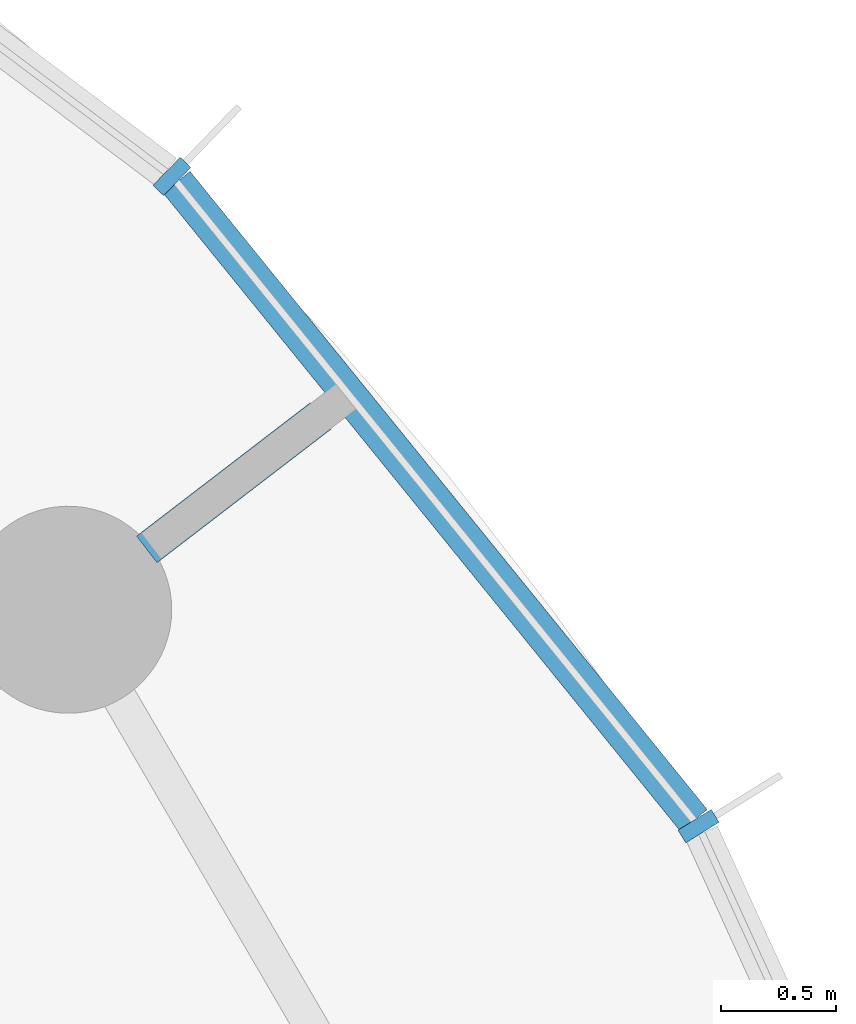
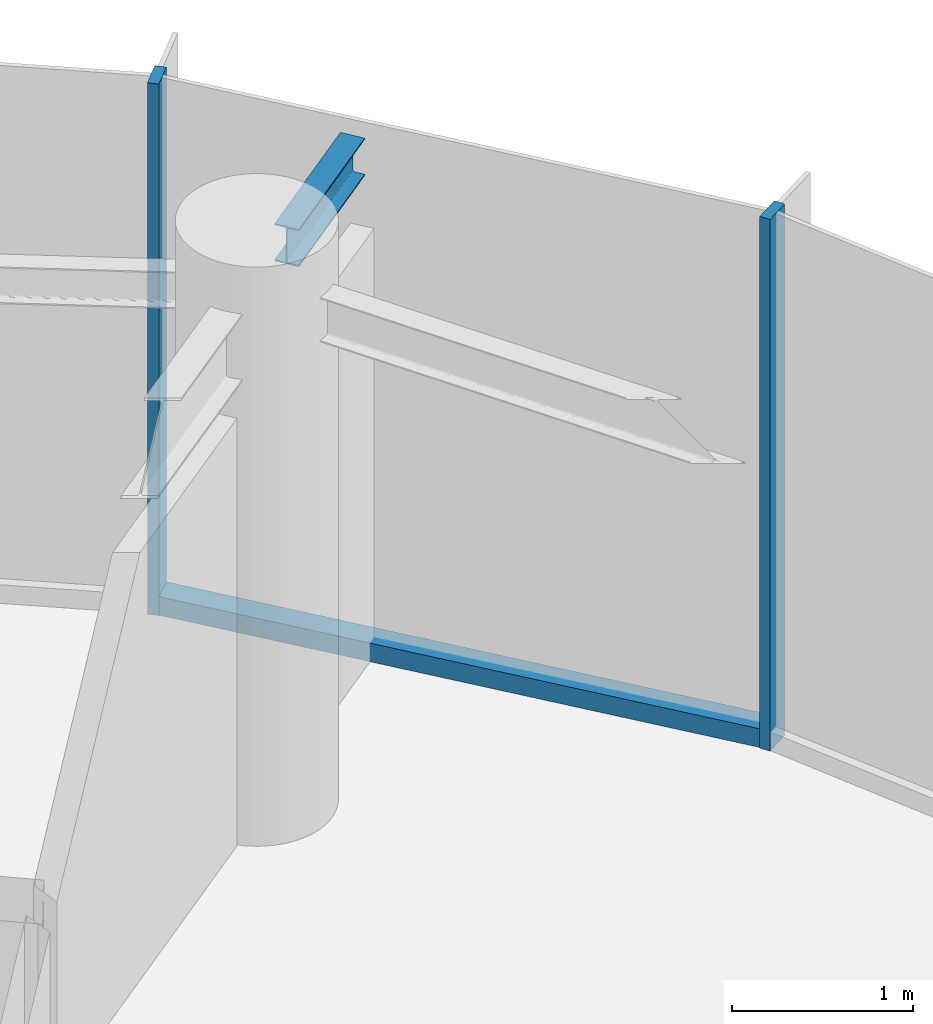
# One storey, part 7 of 15: 3 members, 1 beam, 1 element without a shape of its own.
"""IFC4 building model written with IfcOpenShell, lengths in metres."""

import ifcopenshell
import ifcopenshell.guid

model = None  # the IFC model being written
_history = None  # IfcOwnerHistory: only IFC2X3 demands one
_inside = {}  # id of a spatial element -> (the spatial element, [elements in it])
_under = {}  # id of a project, library or spatial element -> (it, [spatial elements below it])
_declared = {}  # id of a project -> (the project, [libraries it declares])
_typed = {}  # id of a type object -> (the type object, [elements of that type])
_made_of = {}  # id of a material, layer set ... -> (it, [elements and type objects made of it])


def new_model(schema):
    """Start an empty IFC model of exactly this schema.

    Asked for "IFC4X3", IfcOpenShell would pick the latest addendum, in which some entities
    have other attributes; the version numbers below select the first issue.
    IFC2X3 requires an IfcOwnerHistory on every rooted entity: one is made here for all.
    """
    global model, _history
    if schema == "IFC4X3":
        model = ifcopenshell.file(schema_version=(4, 3, 0, 0))
    else:
        model = ifcopenshell.file(schema=schema)
    _inside.clear()
    _under.clear()
    _declared.clear()
    _typed.clear()
    _made_of.clear()
    _history = None
    if model.schema == "IFC2X3":
        org = make("IfcOrganization", Name="unknown")
        user = make(
            "IfcPersonAndOrganization",
            ThePerson=make("IfcPerson", FamilyName="unknown"),
            TheOrganization=org,
        )
        app = make(
            "IfcApplication",
            ApplicationDeveloper=org,
            Version="unknown",
            ApplicationFullName="unknown",
            ApplicationIdentifier="unknown",
        )
        _history = make(
            "IfcOwnerHistory",
            OwningUser=user,
            OwningApplication=app,
            ChangeAction="ADDED",
            CreationDate=0,
        )
    return model


def make(cls, **values):
    """One entity of the class cls with the attributes given. An attribute that is None is left unset."""
    return model.create_entity(
        cls, **{name: value for name, value in values.items() if value is not None}
    )


def rooted(cls, **values):
    """An entity with a GlobalId (a new one), such as an element, a storey or a relation."""
    return make(cls, GlobalId=ifcopenshell.guid.new(), OwnerHistory=_history, **values)


def si_unit(unit_type, name, prefix=None):
    """IfcSIUnit, for example si_unit("LENGTHUNIT", "METRE", prefix="MILLI")."""
    return make("IfcSIUnit", UnitType=unit_type, Prefix=prefix, Name=name)


def assignment(units):
    """IfcUnitAssignment: the units of a project."""
    return None if units is None else make("IfcUnitAssignment", Units=units)


def point(xyz):
    """IfcCartesianPoint."""
    return None if xyz is None else make("IfcCartesianPoint", Coordinates=xyz)


def direction(xyz):
    """IfcDirection."""
    return None if xyz is None else make("IfcDirection", DirectionRatios=xyz)


def frame(location, z_axis=None, x_axis=None):
    """IfcAxis2Placement3D, a coordinate frame: its origin and axes. An axis left out is left unset."""
    return make(
        "IfcAxis2Placement3D",
        Location=point(location),
        Axis=direction(z_axis),
        RefDirection=direction(x_axis),
    )


def frame_2d(location, x_axis=None):
    """IfcAxis2Placement2D, a coordinate frame in the plane: its origin and x axis."""
    return make(
        "IfcAxis2Placement2D", Location=point(location), RefDirection=direction(x_axis)
    )


def origin():
    """The frame at (0, 0, 0) with its axes left unset."""
    return frame((0.0, 0.0, 0.0))


def origin_2d():
    """The frame at (0, 0) in the plane with its x axis left unset."""
    return frame_2d((0.0, 0.0))


def place(relative_to, where):
    """IfcLocalPlacement: puts the frame where relative to a parent placement (None: the world)."""
    return make(
        "IfcLocalPlacement", PlacementRelTo=relative_to, RelativePlacement=where
    )


def context(
    kind, dimensions, precision=None, world=None, true_north=None, identifier=None
):
    """IfcGeometricRepresentationContext, for example the 3D "Model" context."""
    return make(
        "IfcGeometricRepresentationContext",
        ContextIdentifier=identifier,
        ContextType=kind,
        CoordinateSpaceDimension=dimensions,
        Precision=precision,
        WorldCoordinateSystem=world,
        TrueNorth=true_north,
    )


def subcontext(parent, identifier, kind, view, scale=None):
    """IfcGeometricRepresentationSubContext, for example "Body" below "Model"."""
    return make(
        "IfcGeometricRepresentationSubContext",
        ContextIdentifier=identifier,
        ContextType=kind,
        ParentContext=parent,
        TargetScale=scale,
        TargetView=view,
    )


def project(units=None, contexts=None):
    """IfcProject with its units and contexts."""
    return rooted(
        "IfcProject",
        Name="project",
        RepresentationContexts=contexts,
        UnitsInContext=assignment(units),
    )


def spatial(cls, under=None, at=None, **own):
    """A site, building, storey or space (cls), placed at a placement, below another one or the project."""
    s = rooted(cls, ObjectPlacement=at, **own)
    if under is not None:
        _under.setdefault(under.id(), (under, []))[1].append(s)
    return s


def profile(cls, at=None, kind="AREA", **sizes):
    """A parametric profile (cls). Its sizes go by their IFC names, for example OverallWidth=200.0."""
    return make(cls, ProfileType=kind, Position=at, **sizes)


def rectangle(**sizes):
    """IfcRectangleProfileDef."""
    return profile("IfcRectangleProfileDef", **sizes)


def i_section(**sizes):
    """IfcIShapeProfileDef."""
    return profile("IfcIShapeProfileDef", **sizes)


def extrude(swept, where, along, depth):
    """IfcExtrudedAreaSolid: the profile swept, set in the frame where, extruded along a direction by depth."""
    return make(
        "IfcExtrudedAreaSolid",
        SweptArea=swept,
        Position=where,
        ExtrudedDirection=direction(along),
        Depth=depth,
    )


def shape(context_of_items, identifier, shape_type, items):
    """IfcShapeRepresentation: the items that make up one representation, for example the "Body"."""
    return make(
        "IfcShapeRepresentation",
        ContextOfItems=context_of_items,
        RepresentationIdentifier=identifier,
        RepresentationType=shape_type,
        Items=items,
    )


def source(mapping_origin, context_of_items, identifier, shape_type, items):
    """IfcRepresentationMap: a shape defined once, which mapped items show again and again."""
    return make(
        "IfcRepresentationMap",
        MappingOrigin=mapping_origin,
        MappedRepresentation=shape(context_of_items, identifier, shape_type, items),
    )


def transform(
    local_origin,
    x_axis=None,
    y_axis=None,
    z_axis=None,
    scale=None,
    scale2=None,
    scale3=None,
    uniform=True,
):
    """IfcCartesianTransformationOperator3D, or its non-uniform kind. x_axis, y_axis, z_axis: its Axis1, 2, 3."""
    if uniform:
        return make(
            "IfcCartesianTransformationOperator3D",
            Axis1=direction(x_axis),
            Axis2=direction(y_axis),
            LocalOrigin=point(local_origin),
            Scale=scale,
            Axis3=direction(z_axis),
        )
    return make(
        "IfcCartesianTransformationOperator3DnonUniform",
        Axis1=direction(x_axis),
        Axis2=direction(y_axis),
        LocalOrigin=point(local_origin),
        Scale=scale,
        Axis3=direction(z_axis),
        Scale2=scale2,
        Scale3=scale3,
    )


def mapped(mapping_source, mapping_target):
    """IfcMappedItem: shows the shape of a source again, moved by a transform."""
    return make(
        "IfcMappedItem", MappingSource=mapping_source, MappingTarget=mapping_target
    )


def material(Name=None, Category=None):
    """IfcMaterial."""
    return make("IfcMaterial", Name=Name, Category=Category)


def layer(
    of_material, thickness, ventilated=None, Name=None, Category=None, Priority=None
):
    """IfcMaterialLayer: one layer of a wall or slab, of a material (None: an air gap)."""
    return make(
        "IfcMaterialLayer",
        Material=of_material,
        LayerThickness=thickness,
        IsVentilated=ventilated,
        Name=Name,
        Category=Category,
        Priority=Priority,
    )


def layer_set(layers, Name=None):
    """IfcMaterialLayerSet."""
    return make("IfcMaterialLayerSet", MaterialLayers=layers, LayerSetName=Name)


def material_profile(
    of_material, cross_section, Name=None, Category=None, Priority=None
):
    """IfcMaterialProfile: a cross section and its material."""
    return make(
        "IfcMaterialProfile",
        Name=Name,
        Material=of_material,
        Profile=cross_section,
        Priority=Priority,
        Category=Category,
    )


def profile_set(profiles, Name=None, composite=None):
    """IfcMaterialProfileSet."""
    return make(
        "IfcMaterialProfileSet",
        Name=Name,
        MaterialProfiles=profiles,
        CompositeProfile=composite,
    )


def made_of(thing, what):
    """Note that an element or type object is made of a material, layer set ...; save() writes the relation."""
    if what is not None:
        _made_of.setdefault(what.id(), (what, []))[1].append(thing)
    return thing


def type_object(cls, material=None, **own):
    """A type object (cls), such as IfcWallType, which elements share."""
    return made_of(rooted(cls, **own), material)


def element(
    cls,
    number,
    at=None,
    inside=None,
    cuts=None,
    type_object=None,
    material=None,
    context=None,
    identifier="Body",
    shape_type=None,
    held_by="IfcProductDefinitionShape",
    body=None,
    shapes=None,
    **own,
):
    """One element of the class cls, such as IfcWall. Its Tag is "e" and its number.

    at: its placement. inside: the storey or other place that contains it. cuts: it is an
    opening in that element (IfcRelVoidsElement). A single representation is given by context,
    identifier, shape_type and body (its items); several are given by shapes. held_by: the class
    of the entity that holds the representations. save() writes the other relations.
    """
    e = rooted(cls, Tag="e%d" % number, ObjectPlacement=at, **own)
    if body is not None:
        shapes = [shape(context, identifier, shape_type, body)]
    if shapes is not None:
        e.Representation = make(held_by, Representations=shapes)
    if inside is not None:
        _inside.setdefault(inside.id(), (inside, []))[1].append(e)
    if cuts is not None:
        rooted(
            "IfcRelVoidsElement", RelatingBuildingElement=cuts, RelatedOpeningElement=e
        )
    if type_object is not None:
        _typed.setdefault(type_object.id(), (type_object, []))[1].append(e)
    return made_of(e, material)


def aggregate(whole, parts):
    """IfcRelAggregates: a whole, such as a stair, and the parts it consists of."""
    return rooted("IfcRelAggregates", RelatingObject=whole, RelatedObjects=parts)


def save(model, path):
    """Write the relations noted so far, then the file.

    IfcRelAggregates (storeys below a building ...), IfcRelContainedInSpatialStructure (elements
    in a storey), IfcRelDefinesByType, IfcRelAssociatesMaterial and IfcRelDeclares: one each for
    every whole, place, type object, material and project.
    """
    for whole, parts in _under.values():
        aggregate(whole, parts)
    for where, things in _inside.values():
        rooted(
            "IfcRelContainedInSpatialStructure",
            RelatedElements=things,
            RelatingStructure=where,
        )
    for kind, things in _typed.values():
        rooted("IfcRelDefinesByType", RelatedObjects=things, RelatingType=kind)
    for what, things in _made_of.values():
        rooted("IfcRelAssociatesMaterial", RelatedObjects=things, RelatingMaterial=what)
    for by, libraries in _declared.values():
        rooted("IfcRelDeclares", RelatingContext=by, RelatedDefinitions=libraries)
    model.write(path)


model = new_model("IFC4")

# Units and contexts
model_context = context("Model", 3, precision=1e-05, world=origin(), true_north=direction((0.0, 1.0)))
body_context = subcontext(model_context, "Body", "Model", "MODEL_VIEW")
ifc_project = project(units=[si_unit("LENGTHUNIT", "METRE"), si_unit("AREAUNIT", "SQUARE_METRE"), si_unit("VOLUMEUNIT", "CUBIC_METRE"), si_unit("PLANEANGLEUNIT", "RADIAN"), si_unit("MASSUNIT", "GRAM", prefix="KILO")], contexts=[model_context])

# Site, building, storey
site_placement = place(None, origin())
site = spatial("IfcSite", under=ifc_project, at=site_placement, CompositionType="ELEMENT")
building_placement = place(site_placement, origin())
building = spatial("IfcBuilding", under=site, at=building_placement, Name="Spindrift Exchange Tower", CompositionType="ELEMENT")
storey_placement = place(building_placement, frame((0.0, 0.0, 199.39990234375)))
storey = spatial("IfcBuildingStorey", under=building, at=storey_placement, Name="L48", CompositionType="ELEMENT", Elevation=199.39990234375)

# Beam
ifc_material_1 = material(Name="Steel Grade 300", Category="steel")
ifc_material_profile_1 = material_profile(ifc_material_1, i_section(OverallWidth=0.14599609375, OverallDepth=0.251953125, WebThickness=0.006103515625, FlangeThickness=0.008544921875, FilletRadius=0.011962890625, at=origin_2d()), Name="250UB31.4")
ifc_profile_set_1 = profile_set([ifc_material_profile_1], Name="Steel Grade 300")
beam_type = type_object("IfcBeamType", Name="Cantilever Beam 250UB31.4 Steel Grade 300", PredefinedType="BEAM", material=ifc_profile_set_1)
shared_shape_1 = source(origin(), body_context, "Body", "SweptSolid", [
    extrude(i_section(OverallWidth=0.14599609375, OverallDepth=0.251953125, WebThickness=0.006103515625, FlangeThickness=0.008544921875, FilletRadius=0.011962890625, at=origin_2d()), origin(), (0.0, 0.0, 1.0), 0.95166015625),
])
beam_placement = place(storey_placement, frame((70.143310546875, 61.921875, 3.4541015625), z_axis=(0.793300680677, 0.608830050209, 0.0), x_axis=(-0.608830050209, 0.793300680677, 0.0)))
element("IfcBeam", 1, at=beam_placement, inside=storey, type_object=beam_type, Name="L48 cantilever beam R03T", PredefinedType="BEAM", context=body_context, shape_type="MappedRepresentation", body=[
    mapped(shared_shape_1, transform((0.0, 0.0, 0.0), scale=1.0)),
])

# Curtain wall, members
ifc_material_2 = material(Name="Fritted laminated glass with bronze frame", Category="glass")
ifc_layer = layer(ifc_material_2, 0.169921875)
ifc_layer_set = layer_set([ifc_layer], Name="ZONE 4 BRONZE FRITTED WALL")
curtain_wall_type = type_object("IfcCurtainWallType", Name="ZONE 4 BRONZE FRITTED WALL", PredefinedType="NOTDEFINED", material=ifc_layer_set)
curtain_wall_placement = place(storey_placement, origin())
curtain_wall = element("IfcCurtainWall", 2, at=curtain_wall_placement, inside=storey, type_object=curtain_wall_type, Name="L48 Zone 4 Bronze Fritted Wall run 1", PredefinedType="NOTDEFINED")
ifc_material_3 = material(Name="Bronze anodised aluminium", Category="aluminium")
ifc_material_profile_2 = material_profile(ifc_material_3, rectangle(XDim=0.06494140625, YDim=0.169921875, at=origin_2d()), Name="ZONE 4 BRONZE FRITTED WALL MULLION 65X170")
ifc_profile_set_2 = profile_set([ifc_material_profile_2], Name="Bronze anodised aluminium")
member_type_1 = type_object("IfcMemberType", Name="ZONE 4 BRONZE FRITTED WALL MULLION 65X170", PredefinedType="MULLION", material=ifc_profile_set_2)
shared_shape_2 = source(origin(), body_context, "Body", "SweptSolid", [
    extrude(rectangle(XDim=0.06494140625, YDim=0.169921875, at=origin_2d()), origin(), (0.0, 0.0, 1.0), 3.580078125),
])
member_1_placement = place(storey_placement, frame((72.54150390625, 60.718994140625, 0.0), z_axis=(0.0, 0.0, 1.0), x_axis=(-0.526434122031, 0.85021592267, 0.0)))
member_1 = element("IfcMember", 3, at=member_1_placement, type_object=member_type_1, Name="L48 mullion CW-4.1", PredefinedType="MULLION", context=body_context, shape_type="MappedRepresentation", body=[
    mapped(shared_shape_2, transform((0.0, 0.0, 0.0), scale=1.0)),
])
member_2_placement = place(storey_placement, frame((70.252685546875, 63.543212890625, 0.0), z_axis=(0.0, 0.0, 1.0), x_axis=(-0.719532719603, 0.694458541182, 0.0)))
member_2 = element("IfcMember", 4, at=member_2_placement, type_object=member_type_1, Name="L48 mullion CW-4.2", PredefinedType="MULLION", context=body_context, shape_type="MappedRepresentation", body=[
    mapped(shared_shape_2, transform((0.0, 0.0, 0.0), scale=1.0)),
])
ifc_material_profile_3 = material_profile(ifc_material_3, rectangle(XDim=0.14990234375, YDim=0.125, at=origin_2d()), Name="ZONE 4 BRONZE FRITTED WALL TRANSOM 150X125")
ifc_profile_set_3 = profile_set([ifc_material_profile_3], Name="Bronze anodised aluminium")
member_type_2 = type_object("IfcMemberType", Name="ZONE 4 BRONZE FRITTED WALL TRANSOM 150X125", PredefinedType="USERDEFINED", material=ifc_profile_set_3)
shared_shape_3 = source(origin(), body_context, "Body", "SweptSolid", [
    extrude(rectangle(XDim=0.14990234375, YDim=0.125, at=origin_2d()), origin(), (0.0, 0.0, 1.0), 3.570556640625),
])
member_3_placement = place(storey_placement, frame((72.521240234375, 60.744140625, 0.0625), z_axis=(-0.629619078893, 0.776903993743, 0.0), x_axis=(-0.776903993743, -0.629619078893, 0.0)))
member_3 = element("IfcMember", 5, at=member_3_placement, type_object=member_type_2, Name="L48 transom CW-4.1", ObjectType="TRANSOM", PredefinedType="USERDEFINED", context=body_context, shape_type="MappedRepresentation", body=[
    mapped(shared_shape_3, transform((0.0, 0.0, 0.0), scale=1.0)),
])
aggregate(curtain_wall, [member_1, member_3, member_2])

save(model, "model.ifc")
